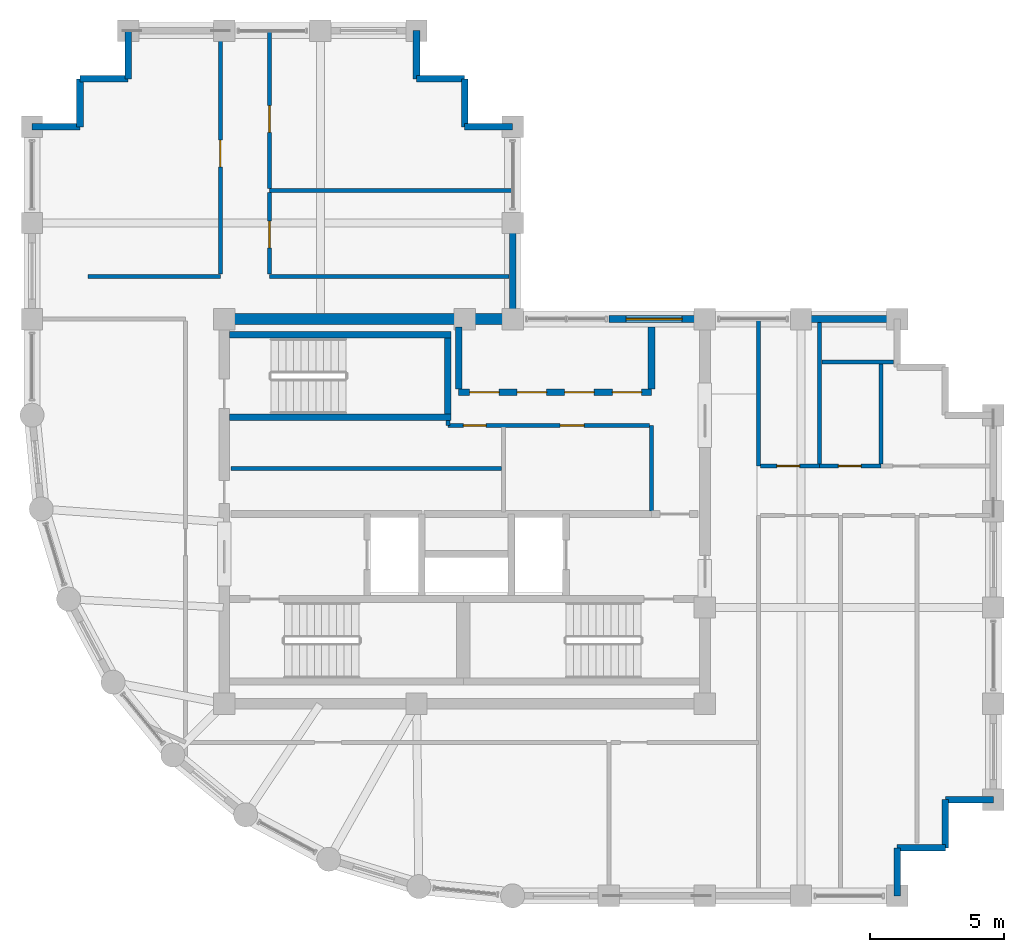
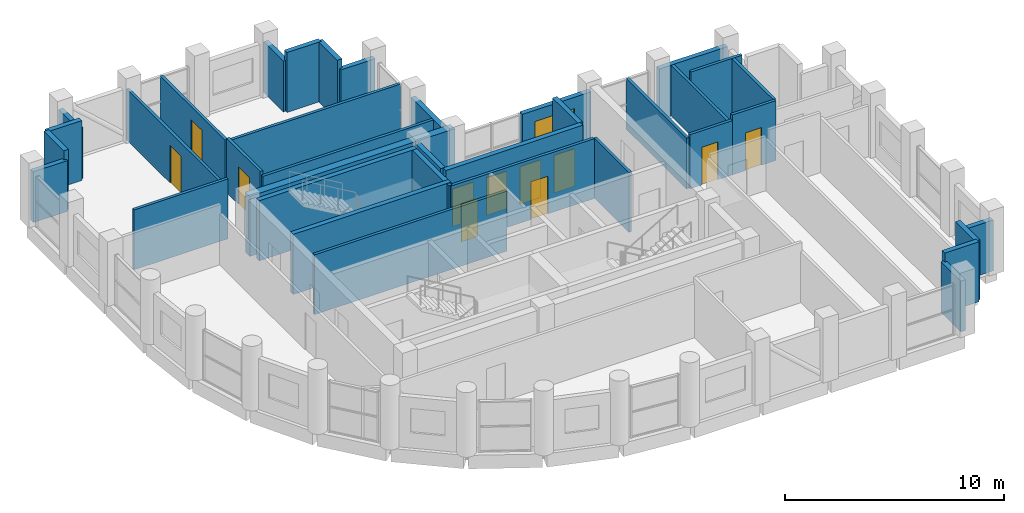
# One storey, part 15 of 17: 38 walls, 11 doors, 1 window, 12 openings.
"""IFC4 building model written with IfcOpenShell, lengths in metres."""

from ifc_helpers import new_model, si_unit, direction, frame, frame_2d, origin, place, context, subcontext, project, spatial, rectangle, extrude, material, layer, layer_set, type_object, element, fill, save


model = new_model("IFC4")

# Units and contexts
model_context = context("Model", 3, precision=1e-05, world=origin(), true_north=direction((0.0, 1.0)))
body_context = subcontext(model_context, "Body", "Model", "MODEL_VIEW")
ifc_project = project(units=[si_unit("LENGTHUNIT", "METRE"), si_unit("AREAUNIT", "SQUARE_METRE"), si_unit("VOLUMEUNIT", "CUBIC_METRE"), si_unit("PLANEANGLEUNIT", "RADIAN"), si_unit("MASSUNIT", "GRAM", prefix="KILO")], contexts=[model_context])

# Site, building, storey
site_placement = place(None, origin())
site = spatial("IfcSite", under=ifc_project, at=site_placement, CompositionType="ELEMENT")
building_placement = place(site_placement, origin())
building = spatial("IfcBuilding", under=site, at=building_placement, Name="Solnavia Interchange Tower", CompositionType="ELEMENT")
storey_placement = place(building_placement, frame((0.0, 0.0, 291.800048828125)))
storey = spatial("IfcBuildingStorey", under=building, at=storey_placement, Name="L74", CompositionType="ELEMENT", Elevation=291.800048828125)

# Walls
ifc_material_1 = material(Name="Concrete C40/50", Category="concrete")
ifc_layer_1 = layer(ifc_material_1, 0.25)
ifc_layer_set_1 = layer_set([ifc_layer_1], Name="Concrete C40/50")
wall_type_1 = type_object("IfcWallType", Name="Wall-ExtSpandrel-250", PredefinedType="STANDARD", material=ifc_layer_set_1)
wall_1_placement = place(storey_placement, frame((39.60009765625, 5.39990234375, 0.0), z_axis=(0.0, 0.0, 1.0), x_axis=(0.0, -1.0, 0.0)))
element("IfcWall", 1, at=wall_1_placement, inside=storey, type_object=wall_type_1, Name="EXW-L74-05 Exterior precast spandrel wall", PredefinedType="STANDARD", context=body_context, shape_type="SweptSolid", body=[
    extrude(rectangle(XDim=1.7998046875, YDim=0.25, at=frame_2d((0.89990234375, 0.0))), origin(), (0.0, 0.0, 1.0), 2.829833984375),
])
wall_2_placement = place(storey_placement, frame((41.39990234375, 5.39990234375, 0.0), z_axis=(0.0, 0.0, 1.0), x_axis=(-1.0, 0.0, 0.0)))
element("IfcWall", 2, at=wall_2_placement, inside=storey, type_object=wall_type_1, Name="EXW-L74-06 Exterior precast spandrel wall", PredefinedType="STANDARD", context=body_context, shape_type="SweptSolid", body=[
    extrude(rectangle(XDim=1.7998046875, YDim=0.25, at=frame_2d((0.89990234375, 0.0))), origin(), (0.0, 0.0, 1.0), 3.3349609375),
])
wall_3_placement = place(storey_placement, frame((41.39990234375, 7.199951171875, 0.0), z_axis=(0.0, 0.0, 1.0), x_axis=(0.0, -1.0, 0.0)))
element("IfcWall", 3, at=wall_3_placement, inside=storey, type_object=wall_type_1, Name="EXW-L74-07 Exterior precast spandrel wall", PredefinedType="STANDARD", context=body_context, shape_type="SweptSolid", body=[
    extrude(rectangle(XDim=1.800048828125, YDim=0.25, at=frame_2d((0.89990234375, 0.0))), origin(), (0.0, 0.0, 1.0), 3.3349609375),
])
wall_4_placement = place(storey_placement, frame((43.199951171875, 7.199951171875, 0.0), z_axis=(0.0, 0.0, 1.0), x_axis=(-1.0, 0.0, 0.0)))
element("IfcWall", 4, at=wall_4_placement, inside=storey, type_object=wall_type_1, Name="EXW-L74-08 Exterior precast spandrel wall", PredefinedType="STANDARD", context=body_context, shape_type="SweptSolid", body=[
    extrude(rectangle(XDim=1.800048828125, YDim=0.25, at=frame_2d((0.89990234375, 0.0))), origin(), (0.0, 0.0, 1.0), 2.829833984375),
])
wall_5_placement = place(storey_placement, frame((36.0, 25.199951171875, 0.0), z_axis=(0.0, 0.0, 1.0), x_axis=(1.0, 0.0, 0.0)))
element("IfcWall", 5, at=wall_5_placement, inside=storey, type_object=wall_type_1, Name="EXW-L74-17 Exterior precast spandrel wall", PredefinedType="STANDARD", context=body_context, shape_type="SweptSolid", body=[
    extrude(rectangle(XDim=3.60009765625, YDim=0.25, at=frame_2d((1.800048828125, 0.0))), origin(), (0.0, 0.0, 1.0), 2.829833984375),
])

# Wall, opening, window
wall_6_placement = place(storey_placement, frame((28.800048828125, 25.199951171875, 0.0), z_axis=(0.0, 0.0, 1.0), x_axis=(1.0, 0.0, 0.0)))
wall_6 = element("IfcWall", 6, at=wall_6_placement, inside=storey, type_object=wall_type_1, Name="EXW-L74-19 Exterior precast spandrel wall", PredefinedType="STANDARD", context=body_context, shape_type="SweptSolid", body=[
    extrude(rectangle(XDim=3.599853515625, YDim=0.25, at=frame_2d((1.7998046875, 0.0))), origin(), (0.0, 0.0, 1.0), 2.829833984375),
])
opening_1_placement = place(wall_6_placement, frame((0.64501953125, 0.0, 0.85009765625)))
opening_1 = element("IfcOpeningElement", 7, at=opening_1_placement, cuts=wall_6, Name="Opening WIN-01", PredefinedType="OPENING", context=body_context, shape_type="SweptSolid", body=[
    extrude(rectangle(XDim=2.10009765625, YDim=1.35009765625, at=frame_2d((1.050048828125, 0.675048828125))), frame((0.0, 0.135009765625, 0.0), z_axis=(0.0, -1.0, 0.0), x_axis=(1.0, 0.0, 0.0)), (0.0, 0.0, 1.0), 0.27001953125),
])
ifc_material_2 = material(Name="Thermal-Break Aluminium & Low-E Glass", Category="aluminium")
window_type = type_object("IfcWindowType", Name="Window-Ribbon-2100x1350", PartitioningType="SINGLE_PANEL", PredefinedType="WINDOW", material=ifc_material_2)
window_placement = place(opening_1_placement, origin())
window = element("IfcWindow", 8, at=window_placement, inside=storey, type_object=window_type, Name="WIN-L74-19 Facade ribbon window", OverallHeight=1.35009765625, OverallWidth=2.10009765625, PartitioningType="SINGLE_PANEL", PredefinedType="WINDOW", context=body_context, shape_type="SweptSolid", body=[
    extrude(rectangle(XDim=2.10009765625, YDim=1.35009765625, at=frame_2d((1.050048828125, 0.675048828125))), frame((0.0, 0.030029296875, 0.0), z_axis=(0.0, -1.0, 0.0), x_axis=(1.0, 0.0, 0.0)), (0.0, 0.0, 1.0), 0.06005859375),
])
fill(opening_1, window)

# Walls
wall_7_placement = place(storey_placement, frame((25.199951171875, 28.800048828125, 0.0), z_axis=(0.0, 0.0, 1.0), x_axis=(0.0, -1.0, 0.0)))
element("IfcWall", 9, at=wall_7_placement, inside=storey, type_object=wall_type_1, Name="EXW-L74-21 Exterior precast spandrel wall", PredefinedType="STANDARD", context=body_context, shape_type="SweptSolid", body=[
    extrude(rectangle(XDim=3.60009765625, YDim=0.25, at=frame_2d((1.800048828125, 0.0))), origin(), (0.0, 0.0, 1.0), 2.829833984375),
])
wall_8_placement = place(storey_placement, frame((23.39990234375, 32.39990234375, 0.0), z_axis=(0.0, 0.0, 1.0), x_axis=(1.0, 0.0, 0.0)))
element("IfcWall", 10, at=wall_8_placement, inside=storey, type_object=wall_type_1, Name="EXW-L74-23 Exterior precast spandrel wall", PredefinedType="STANDARD", context=body_context, shape_type="SweptSolid", body=[
    extrude(rectangle(XDim=1.800048828125, YDim=0.25, at=frame_2d((0.89990234375, 0.0))), origin(), (0.0, 0.0, 1.0), 2.829833984375),
])
wall_9_placement = place(storey_placement, frame((23.39990234375, 32.39990234375, 0.0), z_axis=(0.0, 0.0, 1.0), x_axis=(0.0, 1.0, 0.0)))
element("IfcWall", 11, at=wall_9_placement, inside=storey, type_object=wall_type_1, Name="EXW-L74-24 Exterior precast spandrel wall", PredefinedType="STANDARD", context=body_context, shape_type="SweptSolid", body=[
    extrude(rectangle(XDim=1.800048828125, YDim=0.25, at=frame_2d((0.89990234375, 0.0))), origin(), (0.0, 0.0, 1.0), 3.3349609375),
])
wall_10_placement = place(storey_placement, frame((21.60009765625, 34.199951171875, 0.0), z_axis=(0.0, 0.0, 1.0), x_axis=(1.0, 0.0, 0.0)))
element("IfcWall", 12, at=wall_10_placement, inside=storey, type_object=wall_type_1, Name="EXW-L74-25 Exterior precast spandrel wall", PredefinedType="STANDARD", context=body_context, shape_type="SweptSolid", body=[
    extrude(rectangle(XDim=1.7998046875, YDim=0.25, at=frame_2d((0.89990234375, 0.0))), origin(), (0.0, 0.0, 1.0), 3.3349609375),
])
for number, where, z_axis, x_axis, name in (
    (13, (21.60009765625, 34.199951171875, 0.0), (0.0, 0.0, 1.0), (0.0, 1.0, 0.0), "EXW-L74-26 Exterior precast spandrel wall"),
    (14, (10.800048828125, 34.199951171875, 0.0), (0.0, 0.0, 1.0), (0.0, 1.0, 0.0), "EXW-L74-30 Exterior precast spandrel wall"),
):
    element("IfcWall", number, at=place(storey_placement, frame(where, z_axis=z_axis, x_axis=x_axis)), inside=storey, type_object=wall_type_1, Name=name, PredefinedType="STANDARD", context=body_context, shape_type="SweptSolid", body=[
        extrude(rectangle(XDim=1.800048828125, YDim=0.25, at=frame_2d((0.89990234375, 0.0))), origin(), (0.0, 0.0, 1.0), 2.829833984375),
    ])
for number, where, z_axis, x_axis, name in (
    (15, (9.0, 34.199951171875, 0.0), (0.0, 0.0, 1.0), (1.0, 0.0, 0.0), "EXW-L74-31 Exterior precast spandrel wall"),
    (16, (9.0, 32.39990234375, 0.0), (0.0, 0.0, 1.0), (0.0, 1.0, 0.0), "EXW-L74-32 Exterior precast spandrel wall"),
):
    element("IfcWall", number, at=place(storey_placement, frame(where, z_axis=z_axis, x_axis=x_axis)), inside=storey, type_object=wall_type_1, Name=name, PredefinedType="STANDARD", context=body_context, shape_type="SweptSolid", body=[
        extrude(rectangle(XDim=1.800048828125, YDim=0.25, at=frame_2d((0.89990234375, 0.0))), origin(), (0.0, 0.0, 1.0), 3.3349609375),
    ])
wall_11_placement = place(storey_placement, frame((7.199951171875, 32.39990234375, 0.0), z_axis=(0.0, 0.0, 1.0), x_axis=(1.0, 0.0, 0.0)))
element("IfcWall", 17, at=wall_11_placement, inside=storey, type_object=wall_type_1, Name="EXW-L74-33 Exterior precast spandrel wall", PredefinedType="STANDARD", context=body_context, shape_type="SweptSolid", body=[
    extrude(rectangle(XDim=1.800048828125, YDim=0.25, at=frame_2d((0.89990234375, 0.0))), origin(), (0.0, 0.0, 1.0), 2.829833984375),
])

# Wall, openings, doors
ifc_material_3 = material(Name="Gypsum Plasterboard & Steel Stud", Category="steel")
ifc_layer_2 = layer(ifc_material_3, 0.14990234375)
ifc_layer_set_2 = layer_set([ifc_layer_2], Name="Gypsum Plasterboard & Steel Stud")
wall_type_2 = type_object("IfcWallType", Name="Wall-Partition-150", PredefinedType="PARTITIONING", material=ifc_layer_set_2)
wall_12_placement = place(storey_placement, frame((22.77490234375, 21.219970703125, 0.0), z_axis=(0.0, 0.0, 1.0), x_axis=(1.0, 0.0, 0.0)))
wall_12 = element("IfcWall", 18, at=wall_12_placement, inside=storey, type_object=wall_type_2, Name="CSW-L74-N-ALL Core shaft wall", PredefinedType="PARTITIONING", context=body_context, shape_type="SweptSolid", body=[
    extrude(rectangle(XDim=7.545166015625, YDim=0.14990234375, at=frame_2d((3.7724609375, 0.0))), origin(), (0.0, 0.0, 1.0), 3.3349609375),
])
opening_2_placement = place(wall_12_placement, frame((0.580078125, 0.0, 0.0)))
opening_2 = element("IfcOpeningElement", 19, at=opening_2_placement, cuts=wall_12, Name="Opening DR-10", PredefinedType="OPENING", context=body_context, shape_type="SweptSolid", body=[
    extrude(rectangle(XDim=0.85009765625, YDim=2.10009765625, at=frame_2d((0.425048828125, 1.050048828125))), frame((0.0, 0.0849609375, 0.0), z_axis=(0.0, -1.0, 0.0), x_axis=(1.0, 0.0, 0.0)), (0.0, 0.0, 1.0), 0.169921875),
])
opening_3_placement = place(wall_12_placement, frame((4.199951171875, 0.0, 0.0)))
opening_3 = element("IfcOpeningElement", 20, at=opening_3_placement, cuts=wall_12, Name="Opening DR-09", PredefinedType="OPENING", context=body_context, shape_type="SweptSolid", body=[
    extrude(rectangle(XDim=0.89990234375, YDim=2.10009765625, at=frame_2d((0.449951171875, 1.050048828125))), frame((0.0, 0.0849609375, 0.0), z_axis=(0.0, -1.0, 0.0), x_axis=(1.0, 0.0, 0.0)), (0.0, 0.0, 1.0), 0.169921875),
])
ifc_material_4 = material(Name="Moisture-Resistant Timber Door", Category="wood")
door_type_1 = type_object("IfcDoorType", Name="Door-Bathroom-850x2100", OperationType="SINGLE_SWING_RIGHT", PredefinedType="DOOR", material=ifc_material_4)
door_1_placement = place(opening_2_placement, origin())
door_1 = element("IfcDoor", 21, at=door_1_placement, inside=storey, type_object=door_type_1, Name="DR-L74-CS2 Core fire door", OperationType="SINGLE_SWING_LEFT", OverallHeight=2.10009765625, OverallWidth=0.85009765625, PredefinedType="DOOR", context=body_context, shape_type="SweptSolid", body=[
    extrude(rectangle(XDim=0.85009765625, YDim=2.10009765625, at=frame_2d((0.425048828125, 1.050048828125))), frame((0.0, 0.02490234375, 0.0), z_axis=(0.0, -1.0, 0.0), x_axis=(1.0, 0.0, 0.0)), (0.0, 0.0, 1.0), 0.050048828125),
])
fill(opening_2, door_1)
ifc_material_5 = material(Name="Engineered Oak Veneer Door", Category="wood")
door_type_2 = type_object("IfcDoorType", Name="Door-Internal-900x2100", OperationType="SINGLE_SWING_LEFT", PredefinedType="DOOR", material=ifc_material_5)
door_2_placement = place(opening_3_placement, origin())
door_2 = element("IfcDoor", 22, at=door_2_placement, inside=storey, type_object=door_type_2, Name="DR-L74-CS3 Core fire door", OperationType="SINGLE_SWING_RIGHT", OverallHeight=2.10009765625, OverallWidth=0.89990234375, PredefinedType="DOOR", context=body_context, shape_type="SweptSolid", body=[
    extrude(rectangle(XDim=0.89990234375, YDim=2.10009765625, at=frame_2d((0.449951171875, 1.050048828125))), frame((0.0, 0.02490234375, 0.0), z_axis=(0.0, -1.0, 0.0), x_axis=(1.0, 0.0, 0.0)), (0.0, 0.0, 1.0), 0.050048828125),
])
fill(opening_3, door_2)

# Walls
wall_13_placement = place(storey_placement, frame((22.77490234375, 21.219970703125, 0.0), z_axis=(0.0, 0.0, 1.0), x_axis=(0.0, 1.0, 0.0)))
element("IfcWall", 23, at=wall_13_placement, inside=storey, type_object=wall_type_2, Name="CSW-L74-ST-TIE Core shaft wall", PredefinedType="PARTITIONING", context=body_context, shape_type="SweptSolid", body=[
    extrude(rectangle(XDim=0.175048828125, YDim=0.14990234375, at=frame_2d((0.08740234375, 0.0))), origin(), (0.0, 0.0, 1.0), 3.3349609375),
])
wall_14_placement = place(storey_placement, frame((30.39990234375, 18.02001953125, 0.0), z_axis=(0.0, 0.0, 1.0), x_axis=(0.0, 1.0, 0.0)))
element("IfcWall", 24, at=wall_14_placement, inside=storey, type_object=wall_type_2, Name="CSW-L74-E-E Core shaft wall", PredefinedType="PARTITIONING", context=body_context, shape_type="SweptSolid", body=[
    extrude(rectangle(XDim=3.199951171875, YDim=0.14990234375, at=frame_2d((1.60009765625, 0.0))), origin(), (0.0, 0.0, 1.0), 3.3349609375),
])
wall_15_placement = place(storey_placement, frame((14.64990234375, 19.60009765625, 0.0), z_axis=(0.0, 0.0, 1.0), x_axis=(1.0, 0.0, 0.0)))
element("IfcWall", 25, at=wall_15_placement, inside=storey, type_object=wall_type_2, Name="CSW-L74-H1 Core shaft wall", PredefinedType="PARTITIONING", context=body_context, shape_type="SweptSolid", body=[
    extrude(rectangle(XDim=10.130126953125, YDim=0.14990234375, at=frame_2d((5.06494140625, 0.0))), origin(), (0.0, 0.0, 1.0), 3.3349609375),
])
wall_16_placement = place(storey_placement, frame((9.300048828125, 26.800048828125, 0.0), z_axis=(0.0, 0.0, 1.0), x_axis=(1.0, 0.0, 0.0)))
element("IfcWall", 26, at=wall_16_placement, inside=storey, type_object=wall_type_2, Name="PTW-L74-20 Interior partition wall", PredefinedType="PARTITIONING", context=body_context, shape_type="SweptSolid", body=[
    extrude(rectangle(XDim=4.949951171875, YDim=0.14990234375, at=frame_2d((2.47509765625, 0.0))), origin(), (0.0, 0.0, 1.0), 3.3349609375),
])

# Wall, opening, door
wall_17_placement = place(storey_placement, frame((14.25, 26.87890625, 0.0), z_axis=(0.0, 0.0, 1.0), x_axis=(0.0, 1.0, 0.0)))
wall_17 = element("IfcWall", 27, at=wall_17_placement, inside=storey, type_object=wall_type_2, Name="PTW-L74-21 Interior partition wall", PredefinedType="PARTITIONING", context=body_context, shape_type="SweptSolid", body=[
    extrude(rectangle(XDim=8.9921875, YDim=0.14990234375, at=frame_2d((4.49609375, 0.0))), origin(), (0.0, 0.0, 1.0), 2.829833984375),
])
opening_4_placement = place(wall_17_placement, frame((4.02099609375, 0.0, 0.0)))
opening_4 = element("IfcOpeningElement", 28, at=opening_4_placement, cuts=wall_17, Name="Opening DR-07", PredefinedType="OPENING", context=body_context, shape_type="SweptSolid", body=[
    extrude(rectangle(XDim=1.0, YDim=2.10009765625, at=frame_2d((0.5, 1.050048828125))), frame((0.0, 0.0849609375, 0.0), z_axis=(0.0, -1.0, 0.0), x_axis=(1.0, 0.0, 0.0)), (0.0, 0.0, 1.0), 0.169921875),
])
ifc_material_6 = material(Name="Timber & Acoustic Glazed Office Door", Category="wood")
door_type_3 = type_object("IfcDoorType", Name="Door-Office-1000x2100", OperationType="SINGLE_SWING_RIGHT", PredefinedType="DOOR", material=ifc_material_6)
door_3_placement = place(opening_4_placement, origin())
door_3 = element("IfcDoor", 29, at=door_3_placement, inside=storey, type_object=door_type_3, Name="DR-L74-10 Interior room door", OperationType="SINGLE_SWING_RIGHT", OverallHeight=2.10009765625, OverallWidth=1.0, PredefinedType="DOOR", context=body_context, shape_type="SweptSolid", body=[
    extrude(rectangle(XDim=1.0, YDim=2.10009765625, at=frame_2d((0.5, 1.050048828125))), frame((0.0, 0.02490234375, 0.0), z_axis=(0.0, -1.0, 0.0), x_axis=(1.0, 0.0, 0.0)), (0.0, 0.0, 1.0), 0.050048828125),
])
fill(opening_4, door_3)

# Walls
wall_18_placement = place(storey_placement, frame((16.10009765625, 26.800048828125, 0.0), z_axis=(0.0, 0.0, 1.0), x_axis=(1.0, 0.0, 0.0)))
element("IfcWall", 30, at=wall_18_placement, inside=storey, type_object=wall_type_2, Name="PTW-L74-22 Interior partition wall", PredefinedType="PARTITIONING", context=body_context, shape_type="SweptSolid", body=[
    extrude(rectangle(XDim=8.970947265625, YDim=0.14990234375, at=frame_2d((4.4853515625, 0.0))), origin(), (0.0, 0.0, 1.0), 2.829833984375),
])
wall_19_placement = place(storey_placement, frame((16.10009765625, 30.02001953125, 0.0), z_axis=(0.0, 0.0, 1.0), x_axis=(1.0, 0.0, 0.0)))
element("IfcWall", 31, at=wall_19_placement, inside=storey, type_object=wall_type_2, Name="PTW-L74-23 Interior partition wall", PredefinedType="PARTITIONING", context=body_context, shape_type="SweptSolid", body=[
    extrude(rectangle(XDim=9.099853515625, YDim=0.14990234375, at=frame_2d((4.5498046875, 0.0))), origin(), (0.0, 0.0, 1.0), 2.829833984375),
])

# Wall, opening, door
wall_20_placement = place(storey_placement, frame((16.10009765625, 26.87890625, 0.0), z_axis=(0.0, 0.0, 1.0), x_axis=(0.0, 1.0, 0.0)))
wall_20 = element("IfcWall", 32, at=wall_20_placement, inside=storey, type_object=wall_type_2, Name="PTW-L74-24 Interior partition wall", PredefinedType="PARTITIONING", context=body_context, shape_type="SweptSolid", body=[
    extrude(rectangle(XDim=3.06201171875, YDim=0.14990234375, at=frame_2d((1.531005859375, 0.0))), origin(), (0.0, 0.0, 1.0), 3.030029296875),
])
opening_5_placement = place(wall_20_placement, frame((0.991943359375, 0.0, 0.0)))
opening_5 = element("IfcOpeningElement", 33, at=opening_5_placement, cuts=wall_20, Name="Opening DR-07", PredefinedType="OPENING", context=body_context, shape_type="SweptSolid", body=[
    extrude(rectangle(XDim=1.0, YDim=2.10009765625, at=frame_2d((0.5, 1.050048828125))), frame((0.0, 0.0849609375, 0.0), z_axis=(0.0, -1.0, 0.0), x_axis=(1.0, 0.0, 0.0)), (0.0, 0.0, 1.0), 0.169921875),
])
door_4_placement = place(opening_5_placement, origin())
door_4 = element("IfcDoor", 34, at=door_4_placement, inside=storey, type_object=door_type_3, Name="DR-L74-11 Interior room door", OperationType="SINGLE_SWING_LEFT", OverallHeight=2.10009765625, OverallWidth=1.0, PredefinedType="DOOR", context=body_context, shape_type="SweptSolid", body=[
    extrude(rectangle(XDim=1.0, YDim=2.10009765625, at=frame_2d((0.5, 1.050048828125))), frame((0.0, 0.02490234375, 0.0), z_axis=(0.0, -1.0, 0.0), x_axis=(1.0, 0.0, 0.0)), (0.0, 0.0, 1.0), 0.050048828125),
])
fill(opening_5, door_4)

wall_21_placement = place(storey_placement, frame((16.10009765625, 30.09912109375, 0.0), z_axis=(0.0, 0.0, 1.0), x_axis=(0.0, 1.0, 0.0)))
wall_21 = element("IfcWall", 35, at=wall_21_placement, inside=storey, type_object=wall_type_2, Name="PTW-L74-25 Interior partition wall", PredefinedType="PARTITIONING", context=body_context, shape_type="SweptSolid", body=[
    extrude(rectangle(XDim=5.90087890625, YDim=0.14990234375, at=frame_2d((2.950439453125, 0.0))), origin(), (0.0, 0.0, 1.0), 2.829833984375),
])
opening_6_placement = place(wall_21_placement, frame((2.094970703125, 0.0, 0.0)))
opening_6 = element("IfcOpeningElement", 36, at=opening_6_placement, cuts=wall_21, Name="Opening DR-07", PredefinedType="OPENING", context=body_context, shape_type="SweptSolid", body=[
    extrude(rectangle(XDim=1.0, YDim=2.10009765625, at=frame_2d((0.5, 1.050048828125))), frame((0.0, 0.0849609375, 0.0), z_axis=(0.0, -1.0, 0.0), x_axis=(1.0, 0.0, 0.0)), (0.0, 0.0, 1.0), 0.169921875),
])
door_5_placement = place(opening_6_placement, origin())
door_5 = element("IfcDoor", 37, at=door_5_placement, inside=storey, type_object=door_type_3, Name="DR-L74-12 Interior room door", OperationType="SINGLE_SWING_LEFT", OverallHeight=2.10009765625, OverallWidth=1.0, PredefinedType="DOOR", context=body_context, shape_type="SweptSolid", body=[
    extrude(rectangle(XDim=1.0, YDim=2.10009765625, at=frame_2d((0.5, 1.050048828125))), frame((0.0, 0.02490234375, 0.0), z_axis=(0.0, -1.0, 0.0), x_axis=(1.0, 0.0, 0.0)), (0.0, 0.0, 1.0), 0.050048828125),
])
fill(opening_6, door_5)

# Walls
ifc_layer_3 = layer(ifc_material_1, 0.25)
ifc_layer_set_3 = layer_set([ifc_layer_3], Name="Concrete C40/50")
wall_type_3 = type_object("IfcWallType", Name="Wall-ShaftCore-250", PredefinedType="SHEAR", material=ifc_layer_set_3)
for number, where, z_axis, x_axis, name in (
    (38, (14.60009765625, 21.52490234375, 0.0), (0.0, 0.0, 1.0), (1.0, 0.0, 0.0), "SHW-L74-ST3S Core shear wall"),
    (39, (14.60009765625, 24.614990234375, 0.0), (0.0, 0.0, 1.0), (1.0, 0.0, 0.0), "SHW-L74-ST3N Core shear wall"),
):
    element("IfcWall", number, at=place(storey_placement, frame(where, z_axis=z_axis, x_axis=x_axis)), inside=storey, type_object=wall_type_3, Name=name, PredefinedType="SHEAR", context=body_context, shape_type="SweptSolid", body=[
        extrude(rectangle(XDim=8.2998046875, YDim=0.25, at=frame_2d((4.14990234375, 0.0))), origin(), (0.0, 0.0, 1.0), 3.349853515625),
    ])
wall_22_placement = place(storey_placement, frame((22.77490234375, 21.64990234375, 0.0), z_axis=(0.0, 0.0, 1.0), x_axis=(0.0, 1.0, 0.0)))
element("IfcWall", 40, at=wall_22_placement, inside=storey, type_object=wall_type_3, Name="SHW-L74-ST3E Core shear wall", PredefinedType="SHEAR", context=body_context, shape_type="SweptSolid", body=[
    extrude(rectangle(XDim=2.840087890625, YDim=0.25, at=frame_2d((1.419921875, 0.0))), origin(), (0.0, 0.0, 1.0), 3.349853515625),
])

# Wall, openings, doors
ifc_layer_4 = layer(ifc_material_1, 0.25)
ifc_layer_set_4 = layer_set([ifc_layer_4], Name="Concrete C40/50")
wall_type_4 = type_object("IfcWallType", Name="Wall-ShaftPart-250", PredefinedType="PARTITIONING", material=ifc_layer_set_4)
wall_23_placement = place(storey_placement, frame((23.179931640625, 22.4599609375, 0.0), z_axis=(0.0, 0.0, 1.0), x_axis=(1.0, 0.0, 0.0)))
wall_23 = element("IfcWall", 41, at=wall_23_placement, inside=storey, type_object=wall_type_4, Name="SHW-L74-B3S Core shaft wall", PredefinedType="PARTITIONING", context=body_context, shape_type="SweptSolid", body=[
    extrude(rectangle(XDim=7.219970703125, YDim=0.25, at=frame_2d((3.60986328125, 0.0))), origin(), (0.0, 0.0, 1.0), 3.3349609375),
])
opening_7_placement = place(wall_23_placement, frame((0.409912109375, 0.0, 0.0)))
opening_7 = element("IfcOpeningElement", 42, at=opening_7_placement, cuts=wall_23, Name="Opening LD-01", PredefinedType="OPENING", context=body_context, shape_type="SweptSolid", body=[
    extrude(rectangle(XDim=1.10009765625, YDim=2.10009765625, at=frame_2d((0.550048828125, 1.050048828125))), frame((0.0, 0.135009765625, 0.0), z_axis=(0.0, -1.0, 0.0), x_axis=(1.0, 0.0, 0.0)), (0.0, 0.0, 1.0), 0.27001953125),
])
opening_8_placement = place(wall_23_placement, frame((2.18994140625, 0.0, 0.0)))
opening_8 = element("IfcOpeningElement", 43, at=opening_8_placement, cuts=wall_23, Name="Opening LD-01", PredefinedType="OPENING", context=body_context, shape_type="SweptSolid", body=[
    extrude(rectangle(XDim=1.10009765625, YDim=2.10009765625, at=frame_2d((0.550048828125, 1.050048828125))), frame((0.0, 0.135009765625, 0.0), z_axis=(0.0, -1.0, 0.0), x_axis=(1.0, 0.0, 0.0)), (0.0, 0.0, 1.0), 0.27001953125),
])
opening_9_placement = place(wall_23_placement, frame((3.969970703125, 0.0, 0.0)))
opening_9 = element("IfcOpeningElement", 44, at=opening_9_placement, cuts=wall_23, Name="Opening LD-01", PredefinedType="OPENING", context=body_context, shape_type="SweptSolid", body=[
    extrude(rectangle(XDim=1.10009765625, YDim=2.10009765625, at=frame_2d((0.550048828125, 1.050048828125))), frame((0.0, 0.135009765625, 0.0), z_axis=(0.0, -1.0, 0.0), x_axis=(1.0, 0.0, 0.0)), (0.0, 0.0, 1.0), 0.27001953125),
])
opening_10_placement = place(wall_23_placement, frame((5.75, 0.0, 0.0)))
opening_10 = element("IfcOpeningElement", 45, at=opening_10_placement, cuts=wall_23, Name="Opening LD-01", PredefinedType="OPENING", context=body_context, shape_type="SweptSolid", body=[
    extrude(rectangle(XDim=1.10009765625, YDim=2.10009765625, at=frame_2d((0.550048828125, 1.050048828125))), frame((0.0, 0.135009765625, 0.0), z_axis=(0.0, -1.0, 0.0), x_axis=(1.0, 0.0, 0.0)), (0.0, 0.0, 1.0), 0.27001953125),
])
ifc_material_7 = material(Name="Brushed Stainless Steel Sliding Door", Category="steel")
door_type_4 = type_object("IfcDoorType", Name="Door-LiftLanding-1100x2100", OperationType="SLIDING_TO_LEFT", PredefinedType="DOOR", material=ifc_material_7)
door_6_placement = place(opening_7_placement, origin())
door_6 = element("IfcDoor", 46, at=door_6_placement, inside=storey, type_object=door_type_4, Name="LD-L74-B3-1 Lift landing sliding door", OperationType="SLIDING_TO_LEFT", OverallHeight=2.10009765625, OverallWidth=1.10009765625, PredefinedType="DOOR", context=body_context, shape_type="SweptSolid", body=[
    extrude(rectangle(XDim=1.10009765625, YDim=2.10009765625, at=frame_2d((0.550048828125, 1.050048828125))), frame((0.0, 0.02490234375, 0.0), z_axis=(0.0, -1.0, 0.0), x_axis=(1.0, 0.0, 0.0)), (0.0, 0.0, 1.0), 0.050048828125),
])
fill(opening_7, door_6)
door_7_placement = place(opening_8_placement, origin())
door_7 = element("IfcDoor", 47, at=door_7_placement, inside=storey, type_object=door_type_4, Name="LD-L74-B3-2 Lift landing sliding door", OperationType="SLIDING_TO_LEFT", OverallHeight=2.10009765625, OverallWidth=1.10009765625, PredefinedType="DOOR", context=body_context, shape_type="SweptSolid", body=[
    extrude(rectangle(XDim=1.10009765625, YDim=2.10009765625, at=frame_2d((0.550048828125, 1.050048828125))), frame((0.0, 0.02490234375, 0.0), z_axis=(0.0, -1.0, 0.0), x_axis=(1.0, 0.0, 0.0)), (0.0, 0.0, 1.0), 0.050048828125),
])
fill(opening_8, door_7)
door_8_placement = place(opening_9_placement, origin())
door_8 = element("IfcDoor", 48, at=door_8_placement, inside=storey, type_object=door_type_4, Name="LD-L74-B3-3 Lift landing sliding door", OperationType="SLIDING_TO_LEFT", OverallHeight=2.10009765625, OverallWidth=1.10009765625, PredefinedType="DOOR", context=body_context, shape_type="SweptSolid", body=[
    extrude(rectangle(XDim=1.10009765625, YDim=2.10009765625, at=frame_2d((0.550048828125, 1.050048828125))), frame((0.0, 0.02490234375, 0.0), z_axis=(0.0, -1.0, 0.0), x_axis=(1.0, 0.0, 0.0)), (0.0, 0.0, 1.0), 0.050048828125),
])
fill(opening_9, door_8)
door_9_placement = place(opening_10_placement, origin())
door_9 = element("IfcDoor", 49, at=door_9_placement, inside=storey, type_object=door_type_4, Name="LD-L74-B3-4 Lift landing sliding door", OperationType="SLIDING_TO_LEFT", OverallHeight=2.10009765625, OverallWidth=1.10009765625, PredefinedType="DOOR", context=body_context, shape_type="SweptSolid", body=[
    extrude(rectangle(XDim=1.10009765625, YDim=2.10009765625, at=frame_2d((0.550048828125, 1.050048828125))), frame((0.0, 0.02490234375, 0.0), z_axis=(0.0, -1.0, 0.0), x_axis=(1.0, 0.0, 0.0)), (0.0, 0.0, 1.0), 0.050048828125),
])
fill(opening_10, door_9)

# Walls
for number, where, z_axis, x_axis, name in (
    (50, (23.179931640625, 22.5849609375, 0.0), (0.0, 0.0, 1.0), (0.0, 1.0, 0.0), "SHW-L74-B3W Core shaft wall"),
    (51, (30.39990234375, 22.5849609375, 0.0), (0.0, 0.0, 1.0), (0.0, 1.0, 0.0), "SHW-L74-B3E Core shaft wall"),
):
    element("IfcWall", number, at=place(storey_placement, frame(where, z_axis=z_axis, x_axis=x_axis)), inside=storey, type_object=wall_type_4, Name=name, PredefinedType="PARTITIONING", context=body_context, shape_type="SweptSolid", body=[
        extrude(rectangle(XDim=2.31494140625, YDim=0.25, at=frame_2d((1.157470703125, 0.0))), origin(), (0.0, 0.0, 1.0), 3.3349609375),
    ])
ifc_material_8 = material(Name="Concrete C50/60", Category="concrete")
ifc_layer_5 = layer(ifc_material_8, 0.39990234375)
ifc_layer_set_5 = layer_set([ifc_layer_5], Name="Concrete C50/60")
wall_type_5 = type_object("IfcWallType", Name="Wall-ShearCore-400", PredefinedType="SHEAR", material=ifc_layer_set_5)
wall_24_placement = place(storey_placement, frame((14.39990234375, 25.199951171875, 0.0), z_axis=(0.0, 0.0, 1.0), x_axis=(1.0, 0.0, 0.0)))
element("IfcWall", 52, at=wall_24_placement, inside=storey, type_object=wall_type_5, Name="CRW-L74-N Core shear wall", PredefinedType="SHEAR", context=body_context, shape_type="SweptSolid", body=[
    extrude(rectangle(XDim=10.800048828125, YDim=0.39990234375, at=frame_2d((5.39990234375, 0.0))), origin(), (0.0, 0.0, 1.0), 3.349853515625),
])
ifc_material_9 = material(Name="Moisture-Resistant Gypsum & Steel Stud", Category="steel")
ifc_layer_6 = layer(ifc_material_9, 0.14990234375)
ifc_layer_set_6 = layer_set([ifc_layer_6], Name="Moisture-Resistant Gypsum & Steel Stud")
wall_type_6 = type_object("IfcWallType", Name="Wall-WetRoom-150", PredefinedType="PARTITIONING", material=ifc_layer_set_6)
wall_25_placement = place(storey_placement, frame((34.39990234375, 19.699951171875, 0.0), z_axis=(0.0, 0.0, 1.0), x_axis=(0.0, 1.0, 0.0)))
element("IfcWall", 53, at=wall_25_placement, inside=storey, type_object=wall_type_6, Name="PTW-L74-01 Interior partition wall", PredefinedType="PARTITIONING", context=body_context, shape_type="SweptSolid", body=[
    extrude(rectangle(XDim=5.5, YDim=0.14990234375, at=frame_2d((2.75, 0.0))), origin(), (0.0, 0.0, 1.0), 2.829833984375),
])

# Wall, opening, door
wall_26_placement = place(storey_placement, frame((34.47900390625, 19.699951171875, 0.0), z_axis=(0.0, 0.0, 1.0), x_axis=(1.0, 0.0, 0.0)))
wall_26 = element("IfcWall", 54, at=wall_26_placement, inside=storey, type_object=wall_type_6, Name="PTW-L74-02 Interior partition wall", PredefinedType="PARTITIONING", context=body_context, shape_type="SweptSolid", body=[
    extrude(rectangle(XDim=2.220947265625, YDim=0.14990234375, at=frame_2d((1.1103515625, 0.0))), origin(), (0.0, 0.0, 1.0), 3.02001953125),
])
opening_11_placement = place(wall_26_placement, frame((0.617919921875, 0.0, 0.0)))
opening_11 = element("IfcOpeningElement", 55, at=opening_11_placement, cuts=wall_26, Name="Opening DR-10", PredefinedType="OPENING", context=body_context, shape_type="SweptSolid", body=[
    extrude(rectangle(XDim=0.85009765625, YDim=2.10009765625, at=frame_2d((0.425048828125, 1.050048828125))), frame((0.0, 0.0849609375, 0.0), z_axis=(0.0, -1.0, 0.0), x_axis=(1.0, 0.0, 0.0)), (0.0, 0.0, 1.0), 0.169921875),
])
door_10_placement = place(opening_11_placement, origin())
door_10 = element("IfcDoor", 56, at=door_10_placement, inside=storey, type_object=door_type_1, Name="DR-L74-01 Interior room door", OperationType="SINGLE_SWING_LEFT", OverallHeight=2.10009765625, OverallWidth=0.85009765625, PredefinedType="DOOR", context=body_context, shape_type="SweptSolid", body=[
    extrude(rectangle(XDim=0.85009765625, YDim=2.10009765625, at=frame_2d((0.425048828125, 1.050048828125))), frame((0.0, 0.02490234375, 0.0), z_axis=(0.0, -1.0, 0.0), x_axis=(1.0, 0.0, 0.0)), (0.0, 0.0, 1.0), 0.050048828125),
])
fill(opening_11, door_10)

# Wall
wall_27_placement = place(storey_placement, frame((36.699951171875, 19.779052734375, 0.0), z_axis=(0.0, 0.0, 1.0), x_axis=(0.0, 1.0, 0.0)))
element("IfcWall", 57, at=wall_27_placement, inside=storey, type_object=wall_type_6, Name="PTW-L74-03 Interior partition wall", PredefinedType="PARTITIONING", context=body_context, shape_type="SweptSolid", body=[
    extrude(rectangle(XDim=5.2919921875, YDim=0.14990234375, at=frame_2d((2.64599609375, 0.0))), origin(), (0.0, 0.0, 1.0), 2.829833984375),
])

# Wall, opening, door
wall_28_placement = place(storey_placement, frame((36.699951171875, 19.699951171875, 0.0), z_axis=(0.0, 0.0, 1.0), x_axis=(1.0, 0.0, 0.0)))
wall_28 = element("IfcWall", 58, at=wall_28_placement, inside=storey, type_object=wall_type_6, Name="PTW-L74-04 Interior partition wall", PredefinedType="PARTITIONING", context=body_context, shape_type="SweptSolid", body=[
    extrude(rectangle(XDim=2.300048828125, YDim=0.14990234375, at=frame_2d((1.14990234375, 0.0))), origin(), (0.0, 0.0, 1.0), 3.3349609375),
])
opening_12_placement = place(wall_28_placement, frame((0.697021484375, 0.0, 0.0)))
opening_12 = element("IfcOpeningElement", 59, at=opening_12_placement, cuts=wall_28, Name="Opening DR-10", PredefinedType="OPENING", context=body_context, shape_type="SweptSolid", body=[
    extrude(rectangle(XDim=0.85009765625, YDim=2.10009765625, at=frame_2d((0.425048828125, 1.050048828125))), frame((0.0, 0.0849609375, 0.0), z_axis=(0.0, -1.0, 0.0), x_axis=(1.0, 0.0, 0.0)), (0.0, 0.0, 1.0), 0.169921875),
])
door_11_placement = place(opening_12_placement, origin())
door_11 = element("IfcDoor", 60, at=door_11_placement, inside=storey, type_object=door_type_1, Name="DR-L74-02 Interior room door", OperationType="SINGLE_SWING_RIGHT", OverallHeight=2.10009765625, OverallWidth=0.85009765625, PredefinedType="DOOR", context=body_context, shape_type="SweptSolid", body=[
    extrude(rectangle(XDim=0.85009765625, YDim=2.10009765625, at=frame_2d((0.425048828125, 1.050048828125))), frame((0.0, 0.02490234375, 0.0), z_axis=(0.0, -1.0, 0.0), x_axis=(1.0, 0.0, 0.0)), (0.0, 0.0, 1.0), 0.050048828125),
])
fill(opening_12, door_11)

# Walls
wall_29_placement = place(storey_placement, frame((39.0, 19.779052734375, 0.0), z_axis=(0.0, 0.0, 1.0), x_axis=(0.0, 1.0, 0.0)))
element("IfcWall", 61, at=wall_29_placement, inside=storey, type_object=wall_type_6, Name="PTW-L74-05 Interior partition wall", PredefinedType="PARTITIONING", context=body_context, shape_type="SweptSolid", body=[
    extrude(rectangle(XDim=3.821044921875, YDim=0.14990234375, at=frame_2d((1.91064453125, 0.0))), origin(), (0.0, 0.0, 1.0), 3.3349609375),
])
wall_30_placement = place(storey_placement, frame((36.779052734375, 23.60009765625, 0.0), z_axis=(0.0, 0.0, 1.0), x_axis=(1.0, 0.0, 0.0)))
element("IfcWall", 62, at=wall_30_placement, inside=storey, type_object=wall_type_6, Name="PTW-L74-06 Interior partition wall", PredefinedType="PARTITIONING", context=body_context, shape_type="SweptSolid", body=[
    extrude(rectangle(XDim=2.69189453125, YDim=0.14990234375, at=frame_2d((1.345947265625, 0.0))), origin(), (0.0, 0.0, 1.0), 3.3349609375),
])

save(model, "model.ifc")
